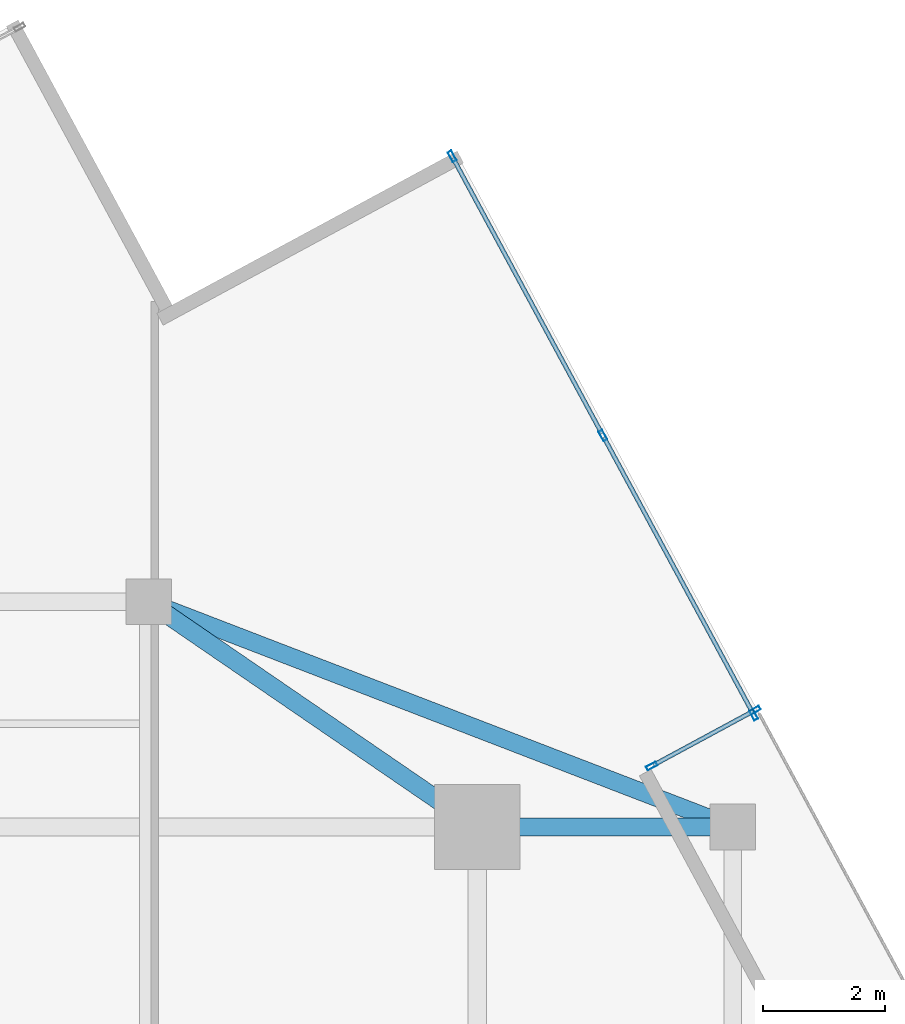
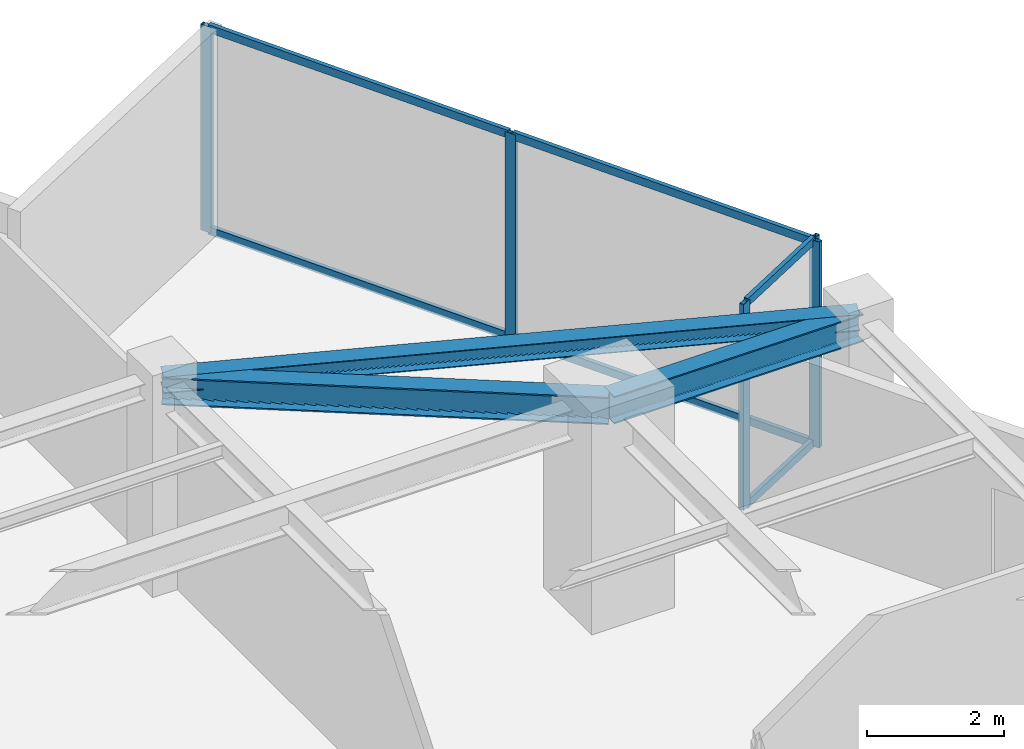
# One storey, part 17 of 22: 11 members, 3 beams, 2 elements without a shape of their own.
"""IFC4 building model written with IfcOpenShell, lengths in metres."""

from ifc_helpers import new_model, si_unit, direction, frame, origin, origin_2d, place, context, subcontext, project, spatial, hollow_rectangle, i_section, extrude, source, transform, mapped, material, material_profile, profile_set, type_object, type_shapes, element, aggregate, save


model = new_model("IFC4")

# Units and contexts
model_context = context("Model", 3, precision=1e-05, world=origin(), true_north=direction((0.0, 1.0)))
body_context = subcontext(model_context, "Body", "Model", "MODEL_VIEW")
ifc_project = project(units=[si_unit("LENGTHUNIT", "METRE"), si_unit("AREAUNIT", "SQUARE_METRE"), si_unit("VOLUMEUNIT", "CUBIC_METRE"), si_unit("PLANEANGLEUNIT", "RADIAN"), si_unit("MASSUNIT", "GRAM", prefix="KILO")], contexts=[model_context])

# Site, building, storey
site_placement = place(None, origin())
site = spatial("IfcSite", under=ifc_project, at=site_placement, CompositionType="ELEMENT")
building_placement = place(site_placement, origin())
building = spatial("IfcBuilding", under=site, at=building_placement, Name="Krantzveldt Concourse Tower", CompositionType="ELEMENT")
storey_placement = place(building_placement, frame((0.0, 0.0, 302.949951171875)))
storey = spatial("IfcBuildingStorey", under=building, at=storey_placement, Name="L74", CompositionType="ELEMENT", Elevation=302.949951171875)

# Beams
ifc_material_1 = material(Name="Steel S355JR", Category="steel")
ifc_material_profile_1 = material_profile(ifc_material_1, i_section(OverallWidth=0.300048828125, OverallDepth=0.489990234375, WebThickness=0.011962890625, FlangeThickness=0.02294921875, FilletRadius=0.027099609375, at=origin_2d()), Name="Steel S355JR", Category="steel")
ifc_profile_set_1 = profile_set([ifc_material_profile_1], Name="Steel S355JR - HEA 500")
beam_type_1 = type_object("IfcBeamType", Name="BM-B-HEA500", PredefinedType="BEAM", material=ifc_profile_set_1)
shared_shape_1 = source(origin(), body_context, "Body", "SweptSolid", [
    extrude(i_section(OverallWidth=0.300048828125, OverallDepth=0.489990234375, WebThickness=0.011962890625, FlangeThickness=0.02294921875, FilletRadius=0.027099609375, at=origin_2d()), origin(), (0.0, 0.0, 1.0), 4.199951171875),
])
beam_1_placement = place(storey_placement, frame((46.800048828125, 37.5, 3.425048828125), z_axis=(1.0, 0.0, 0.0), x_axis=(0.0, 1.0, 0.0)))
element("IfcBeam", 1, at=beam_1_placement, inside=storey, type_object=beam_type_1, Name="L74 Tower Girder BR-RR3", PredefinedType="BEAM", context=body_context, shape_type="MappedRepresentation", body=[
    mapped(shared_shape_1, transform((0.0, 0.0, 0.0), x_axis=(1.0, 0.0, 0.0), y_axis=(0.0, 1.0, 0.0), z_axis=(0.0, 0.0, 1.0), scale=1.0)),
])
shared_shape_2 = source(origin(), body_context, "Body", "SweptSolid", [
    extrude(i_section(OverallWidth=0.300048828125, OverallDepth=0.489990234375, WebThickness=0.011962890625, FlangeThickness=0.02294921875, FilletRadius=0.027099609375, at=origin_2d()), origin(), (0.0, 0.0, 1.0), 6.546142578125),
])
type_shapes(beam_type_1, [shared_shape_1, shared_shape_2])
beam_2_placement = place(storey_placement, frame((46.800048828125, 37.5, 3.425048828125), z_axis=(-0.824942999484, 0.565215930068, 0.0), x_axis=(-0.565215930068, -0.824942999484, 0.0)))
element("IfcBeam", 2, at=beam_2_placement, inside=storey, type_object=beam_type_1, Name="L74 Tower Girder BR-RR4", PredefinedType="BEAM", context=body_context, shape_type="MappedRepresentation", body=[
    mapped(shared_shape_2, transform((0.0, 0.0, 0.0), x_axis=(1.0, 0.0, 0.0), y_axis=(0.0, 1.0, 0.0), z_axis=(0.0, 0.0, 1.0), scale=1.0)),
])
ifc_material_profile_2 = material_profile(ifc_material_1, i_section(OverallWidth=0.2900390625, OverallDepth=0.2900390625, WebThickness=0.008544921875, FlangeThickness=0.013916015625, FilletRadius=0.027099609375, at=origin_2d()), Name="Steel S355JR", Category="steel")
ifc_profile_set_2 = profile_set([ifc_material_profile_2], Name="Steel S355JR - HEA 300")
beam_type_2 = type_object("IfcBeamType", Name="BM-SP-HEA300", PredefinedType="SPANDREL", material=ifc_profile_set_2)
shared_shape_3 = source(origin(), body_context, "Body", "SweptSolid", [
    extrude(i_section(OverallWidth=0.2900390625, OverallDepth=0.2900390625, WebThickness=0.008544921875, FlangeThickness=0.013916015625, FilletRadius=0.027099609375, at=origin_2d()), origin(), (0.0, 0.0, 1.0), 10.288330078125),
])
type_shapes(beam_type_2, [shared_shape_3])
beam_3_placement = place(storey_placement, frame((41.39990234375, 41.199951171875, 3.525146484375), z_axis=(0.933097690408, -0.359622997257, 0.0), x_axis=(0.359622997257, 0.933097690408, 0.0)))
element("IfcBeam", 3, at=beam_3_placement, inside=storey, type_object=beam_type_2, Name="L74 Tower Girder SP-R05", PredefinedType="SPANDREL", context=body_context, shape_type="MappedRepresentation", body=[
    mapped(shared_shape_3, transform((0.0, 0.0, 0.0), x_axis=(1.0, 0.0, 0.0), y_axis=(0.0, 1.0, 0.0), z_axis=(0.0, 0.0, 1.0), scale=1.0)),
])

# Curtain wall, members
ifc_material_2 = material(Name="Anodised aluminium 6063-T6", Category="aluminium")
curtain_wall_type_1 = type_object("IfcCurtainWallType", Name="CW6", PredefinedType="USERDEFINED", material=ifc_material_2)
curtain_wall_1_placement = place(storey_placement, origin())
curtain_wall_1 = element("IfcCurtainWall", 4, at=curtain_wall_1_placement, inside=storey, type_object=curtain_wall_type_1, Name="CW-L74-TR13", ObjectType="UNITISED CURTAIN WALL", PredefinedType="USERDEFINED")
ifc_material_profile_3 = material_profile(ifc_material_2, hollow_rectangle(XDim=0.070068359375, YDim=0.179931640625, WallThickness=0.0048828125, at=origin_2d()), Name="Anodised aluminium 6063-T6", Category="aluminium")
ifc_profile_set_3 = profile_set([ifc_material_profile_3], Name="Anodised aluminium 6063-T6 - ALU-MULL 180x70x5")
member_type_1 = type_object("IfcMemberType", Name="CW-MUL-180", PredefinedType="MULLION", material=ifc_profile_set_3)
shared_shape_4 = source(origin(), body_context, "Body", "SweptSolid", [
    extrude(hollow_rectangle(XDim=0.070068359375, YDim=0.179931640625, WallThickness=0.0048828125, at=origin_2d()), origin(), (0.0, 0.0, 1.0), 3.670166015625),
])
type_shapes(member_type_1, [shared_shape_4])
member_1_placement = place(storey_placement, frame((49.66748046875, 38.50341796875, 0.0), z_axis=(0.0, 0.0, 1.0), x_axis=(-0.475240504079, 0.879855933255, 0.0)))
member_1 = element("IfcMember", 5, at=member_1_placement, type_object=member_type_1, Name="CW-TERR mullion 1", PredefinedType="MULLION", context=body_context, shape_type="MappedRepresentation", body=[
    mapped(shared_shape_4, transform((0.0, 0.0, 0.0), x_axis=(1.0, 0.0, 0.0), y_axis=(0.0, 1.0, 0.0), z_axis=(0.0, 0.0, 1.0), scale=1.0)),
])
member_2_placement = place(storey_placement, frame((51.36572265625, 39.420654296875, 0.0), z_axis=(0.0, 0.0, 1.0), x_axis=(-0.475240504079, 0.879855933255, 0.0)))
member_2 = element("IfcMember", 6, at=member_2_placement, type_object=member_type_1, Name="CW-TERR mullion 2", PredefinedType="MULLION", context=body_context, shape_type="MappedRepresentation", body=[
    mapped(shared_shape_4, transform((0.0, 0.0, 0.0), x_axis=(1.0, 0.0, 0.0), y_axis=(0.0, 1.0, 0.0), z_axis=(0.0, 0.0, 1.0), scale=1.0)),
])

curtain_wall_type_2 = type_object("IfcCurtainWallType", Name="CW4", PredefinedType="USERDEFINED", material=ifc_material_2)
curtain_wall_2_placement = place(storey_placement, origin())
curtain_wall_2 = element("IfcCurtainWall", 7, at=curtain_wall_2_placement, inside=storey, type_object=curtain_wall_type_2, Name="CW-L74-F14", ObjectType="UNITISED CURTAIN WALL", PredefinedType="USERDEFINED")
member_3_placement = place(storey_placement, frame((51.343505859375, 39.34619140625, 0.0), z_axis=(0.0, 0.0, 1.0), x_axis=(-0.879856202129, -0.475240006286, 0.0)))
member_3 = element("IfcMember", 8, at=member_3_placement, type_object=member_type_1, Name="CW-Z56 mullion 1", PredefinedType="MULLION", context=body_context, shape_type="MappedRepresentation", body=[
    mapped(shared_shape_4, transform((0.0, 0.0, 0.0), x_axis=(1.0, 0.0, 0.0), y_axis=(0.0, 1.0, 0.0), z_axis=(0.0, 0.0, 1.0), scale=1.0)),
])
member_4_placement = place(storey_placement, frame((48.864990234375, 43.9345703125, 0.0), z_axis=(0.0, 0.0, 1.0), x_axis=(-0.879856202129, -0.475240006286, 0.0)))
member_4 = element("IfcMember", 9, at=member_4_placement, type_object=member_type_1, Name="CW-Z56 mullion 2", PredefinedType="MULLION", context=body_context, shape_type="MappedRepresentation", body=[
    mapped(shared_shape_4, transform((0.0, 0.0, 0.0), x_axis=(1.0, 0.0, 0.0), y_axis=(0.0, 1.0, 0.0), z_axis=(0.0, 0.0, 1.0), scale=1.0)),
])
member_5_placement = place(storey_placement, frame((46.38671875, 48.523193359375, 0.0), z_axis=(0.0, 0.0, 1.0), x_axis=(-0.879856202129, -0.475240006286, 0.0)))
member_5 = element("IfcMember", 10, at=member_5_placement, type_object=member_type_1, Name="CW-Z56 mullion 3", PredefinedType="MULLION", context=body_context, shape_type="MappedRepresentation", body=[
    mapped(shared_shape_4, transform((0.0, 0.0, 0.0), x_axis=(1.0, 0.0, 0.0), y_axis=(0.0, 1.0, 0.0), z_axis=(0.0, 0.0, 1.0), scale=1.0)),
])

# Member
ifc_material_profile_4 = material_profile(ifc_material_2, hollow_rectangle(XDim=0.070068359375, YDim=0.139892578125, WallThickness=0.0048828125, at=origin_2d()), Name="Anodised aluminium 6063-T6", Category="aluminium")
ifc_profile_set_4 = profile_set([ifc_material_profile_4], Name="Anodised aluminium 6063-T6 - ALU-TRAN 140x70x5")
member_type_2 = type_object("IfcMemberType", Name="CW-TRN-150", PredefinedType="USERDEFINED", material=ifc_profile_set_4)
shared_shape_5 = source(origin(), body_context, "Body", "SweptSolid", [
    extrude(hollow_rectangle(XDim=0.070068359375, YDim=0.139892578125, WallThickness=0.0048828125, at=origin_2d()), origin(), (0.0, 0.0, 1.0), 1.860107421875),
])
member_6_placement = place(storey_placement, frame((49.698486328125, 38.52001953125, 0.03515625), z_axis=(0.879829655395, 0.475289151452, 0.0), x_axis=(-0.475289151452, 0.879829655395, 0.0)))
member_6 = element("IfcMember", 11, at=member_6_placement, type_object=member_type_2, Name="CW-TERR transom 1.1", ObjectType="TRANSOM", PredefinedType="USERDEFINED", context=body_context, shape_type="MappedRepresentation", body=[
    mapped(shared_shape_5, transform((0.0, 0.0, 0.0), x_axis=(1.0, 0.0, 0.0), y_axis=(0.0, 1.0, 0.0), z_axis=(0.0, 0.0, 1.0), scale=1.0)),
])

member_7_placement = place(storey_placement, frame((49.698486328125, 38.52001953125, 3.635009765625), z_axis=(0.879829655395, 0.475289151452, 0.0), x_axis=(-0.475289151452, 0.879829655395, 0.0)))
member_7 = element("IfcMember", 12, at=member_7_placement, type_object=member_type_2, Name="CW-TERR transom 1.2", ObjectType="TRANSOM", PredefinedType="USERDEFINED", context=body_context, shape_type="MappedRepresentation", body=[
    mapped(shared_shape_5, transform((0.0, 0.0, 0.0), x_axis=(1.0, 0.0, 0.0), y_axis=(0.0, 1.0, 0.0), z_axis=(0.0, 0.0, 1.0), scale=1.0)),
])

aggregate(curtain_wall_1, [member_1, member_2, member_6, member_7])

shared_shape_6 = source(origin(), body_context, "Body", "SweptSolid", [
    extrude(hollow_rectangle(XDim=0.070068359375, YDim=0.139892578125, WallThickness=0.0048828125, at=origin_2d()), origin(), (0.0, 0.0, 1.0), 5.14501953125),
])
type_shapes(member_type_2, [shared_shape_5, shared_shape_6])
member_8_placement = place(storey_placement, frame((51.326904296875, 39.376953125, 0.03515625), z_axis=(-0.475270881269, 0.87983952481, 0.0), x_axis=(-0.87983952481, -0.475270881269, 0.0)))
member_8 = element("IfcMember", 13, at=member_8_placement, type_object=member_type_2, Name="CW-Z56 transom 1.1", ObjectType="TRANSOM", PredefinedType="USERDEFINED", context=body_context, shape_type="MappedRepresentation", body=[
    mapped(shared_shape_6, transform((0.0, 0.0, 0.0), x_axis=(1.0, 0.0, 0.0), y_axis=(0.0, 1.0, 0.0), z_axis=(0.0, 0.0, 1.0), scale=1.0)),
])

member_9_placement = place(storey_placement, frame((51.326904296875, 39.376953125, 3.635009765625), z_axis=(-0.475270881269, 0.87983952481, 0.0), x_axis=(-0.87983952481, -0.475270881269, 0.0)))
member_9 = element("IfcMember", 14, at=member_9_placement, type_object=member_type_2, Name="CW-Z56 transom 1.2", ObjectType="TRANSOM", PredefinedType="USERDEFINED", context=body_context, shape_type="MappedRepresentation", body=[
    mapped(shared_shape_6, transform((0.0, 0.0, 0.0), x_axis=(1.0, 0.0, 0.0), y_axis=(0.0, 1.0, 0.0), z_axis=(0.0, 0.0, 1.0), scale=1.0)),
])

member_10_placement = place(storey_placement, frame((48.848388671875, 43.96533203125, 0.03515625), z_axis=(-0.475234147244, 0.87985936677, 0.0), x_axis=(-0.87985936677, -0.475234147244, 0.0)))
member_10 = element("IfcMember", 15, at=member_10_placement, type_object=member_type_2, Name="CW-Z56 transom 2.1", ObjectType="TRANSOM", PredefinedType="USERDEFINED", context=body_context, shape_type="MappedRepresentation", body=[
    mapped(shared_shape_6, transform((0.0, 0.0, 0.0), x_axis=(1.0, 0.0, 0.0), y_axis=(0.0, 1.0, 0.0), z_axis=(0.0, 0.0, 1.0), scale=1.0)),
])

member_11_placement = place(storey_placement, frame((48.848388671875, 43.96533203125, 3.635009765625), z_axis=(-0.475234147244, 0.87985936677, 0.0), x_axis=(-0.87985936677, -0.475234147244, 0.0)))
member_11 = element("IfcMember", 16, at=member_11_placement, type_object=member_type_2, Name="CW-Z56 transom 2.2", ObjectType="TRANSOM", PredefinedType="USERDEFINED", context=body_context, shape_type="MappedRepresentation", body=[
    mapped(shared_shape_6, transform((0.0, 0.0, 0.0), x_axis=(1.0, 0.0, 0.0), y_axis=(0.0, 1.0, 0.0), z_axis=(0.0, 0.0, 1.0), scale=1.0)),
])

aggregate(curtain_wall_2, [member_3, member_4, member_5, member_8, member_9, member_10, member_11])

save(model, "model.ifc")
